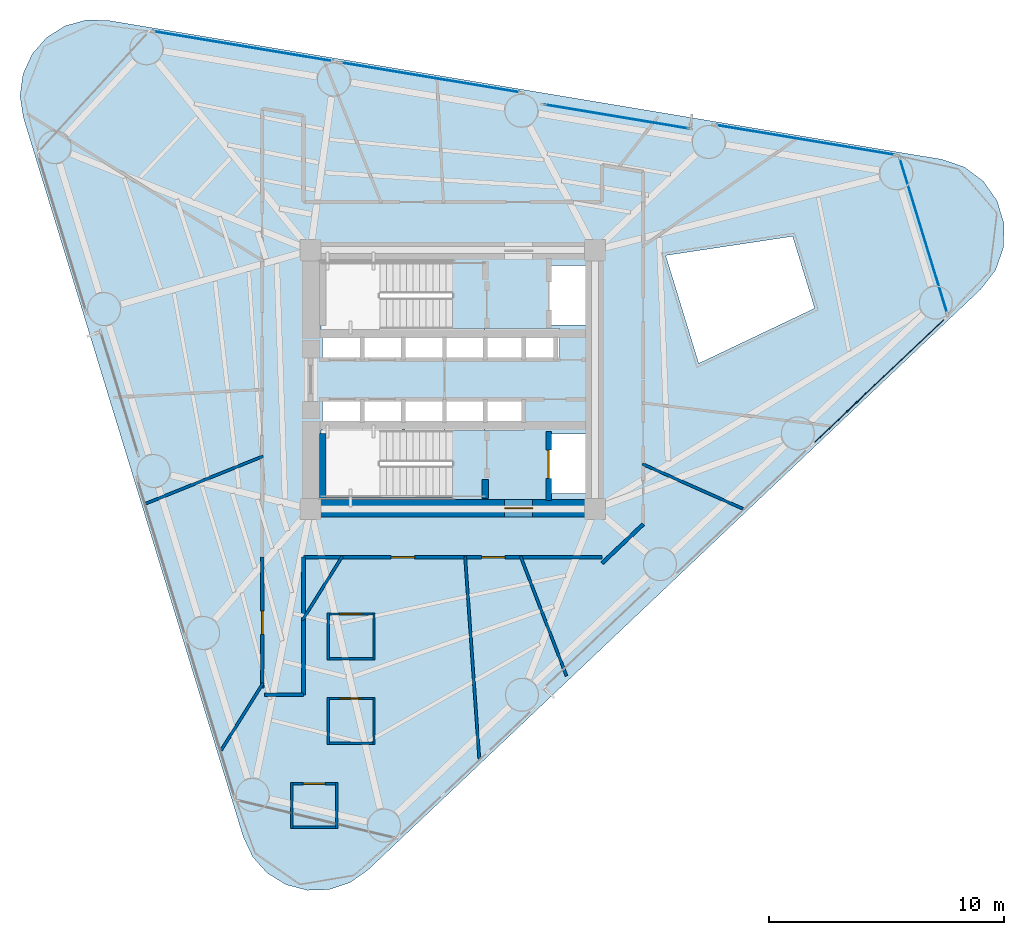
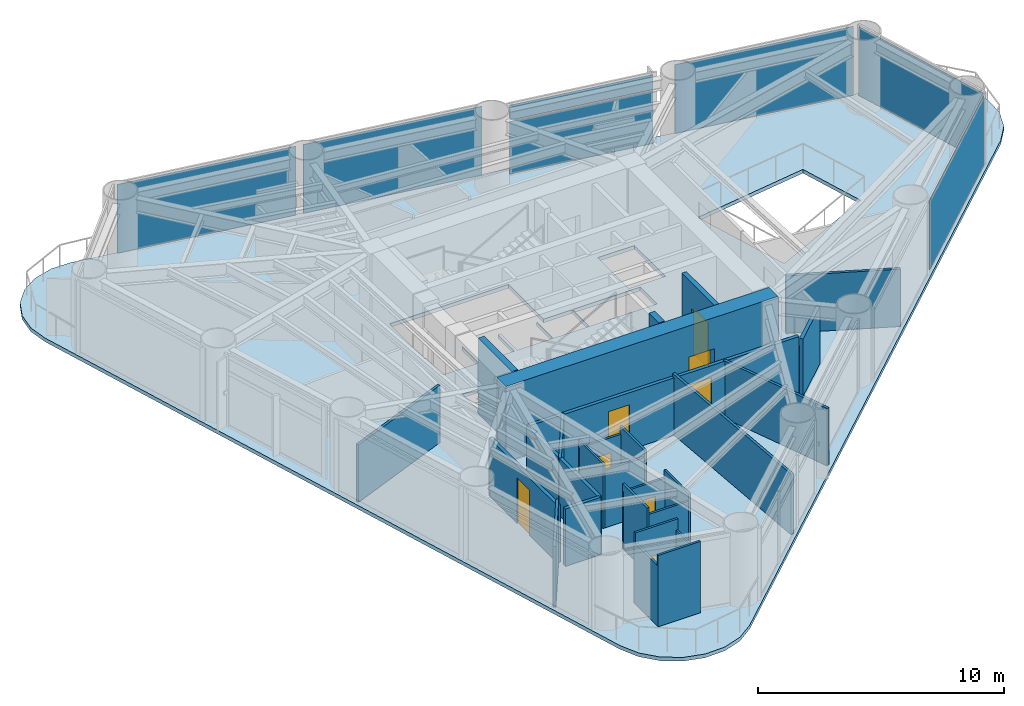
# One storey, part 5 of 10: 27 walls, 8 doors, 7 plates, 1 slab, 8 openings, 6 elements without a shape of their own.
"""IFC4 building model written with IfcOpenShell, lengths in metres."""

from ifc_helpers import new_model, si_unit, direction, frame, frame_2d, origin, origin_2d, place, context, subcontext, project, spatial, polyline, rectangle, outline, extrude, source, transform, mapped, material, layer, layer_set, type_object, element, fill, aggregate, save


model = new_model("IFC4")

# Units and contexts
model_context = context("Model", 3, precision=1e-05, world=origin(), true_north=direction((0.0, 1.0)))
body_context = subcontext(model_context, "Body", "Model", "MODEL_VIEW")
ifc_project = project(units=[si_unit("LENGTHUNIT", "METRE"), si_unit("AREAUNIT", "SQUARE_METRE"), si_unit("VOLUMEUNIT", "CUBIC_METRE"), si_unit("PLANEANGLEUNIT", "RADIAN"), si_unit("MASSUNIT", "GRAM", prefix="KILO")], contexts=[model_context])

# Site, building, storey
site_placement = place(None, origin())
site = spatial("IfcSite", under=ifc_project, at=site_placement, CompositionType="ELEMENT")
building_placement = place(site_placement, origin())
building = spatial("IfcBuilding", under=site, at=building_placement, Name="Yunling Apex Tower", CompositionType="ELEMENT")
storey_placement = place(building_placement, frame((0.0, 0.0, 104.89990234375)))
storey = spatial("IfcBuildingStorey", under=building, at=storey_placement, Name="L26", CompositionType="ELEMENT", Elevation=104.89990234375)

# Slab
ifc_material_1 = material(Name="Concrete C40", Category="concrete")
ifc_layer_1 = layer(ifc_material_1, 0.179931640625)
ifc_layer_set_1 = layer_set([ifc_layer_1], Name="Concrete C40")
slab_type = type_object("IfcSlabType", Name="SL-FLR-1", PredefinedType="FLOOR", material=ifc_layer_set_1)
slab_placement = place(storey_placement, frame((0.0, 0.0, -0.184814453125)))
element("IfcSlab", 1, at=slab_placement, inside=storey, type_object=slab_type, Name="L26 Composite Tower Floor Slab", PredefinedType="FLOOR", context=body_context, shape_type="SweptSolid", body=[
    extrude(outline(polyline([(-8.89990234375, -19.45263671875), (-8.50146484375, -20.294921875), (-7.87841796875, -20.98779296875), (-7.083251953125, -21.473388671875), (-6.182373046875, -21.710693359375), (-5.251220703125, -21.680419921875), (-4.367431640625, -21.384765625), (-3.605712890625, -20.848388671875), (22.4599609375, 3.852294921875), (23.077880859375, 4.65869140625), (23.413818359375, 5.61767578125), (23.434326171875, 6.63330078125), (23.13720703125, 7.60498046875), (22.55224609375, 8.435791015625), (21.737548828125, 9.042724609375), (20.774169921875, 9.36572265625), (-14.6474609375, 15.267822265625), (-15.5791015625, 15.28662109375), (-16.476806640625, 15.03759765625), (-17.265869140625, 14.5419921875), (-17.8798828125, 13.84130859375), (-18.267578125, 12.993896484375), (-18.396728515625, 12.0712890625), (-18.256103515625, 11.150390625), (-8.89990234375, -19.45263671875)]), holes=[polyline([(14.45068359375, 6.091064453125), (15.385986328125, 3.031005859375), (10.4560546875, 0.68701171875), (9.052490234375, 5.27734375), (14.45068359375, 6.091064453125)]), polyline([(5.81005859375, -2.320068359375), (5.81005859375, -4.840087890625), (4.090087890625, -4.840087890625), (4.090087890625, -2.320068359375), (5.81005859375, -2.320068359375)]), polyline([(5.81005859375, 4.840087890625), (5.81005859375, 2.320068359375), (4.090087890625, 2.320068359375), (4.090087890625, 4.840087890625), (5.81005859375, 4.840087890625)]), polyline([(4.534912109375, 0.794921875), (1.364990234375, 0.794921875), (1.364990234375, 2.1650390625), (4.534912109375, 2.1650390625), (4.534912109375, 0.794921875)]), polyline([(3.034912109375, -0.794921875), (3.034912109375, -2.1650390625), (1.364990234375, -2.1650390625), (1.364990234375, -0.794921875), (3.034912109375, -0.794921875)]), polyline([(-3.864990234375, -0.794921875), (-3.864990234375, -2.139892578125), (-3.8349609375, -2.139892578125), (-3.8349609375, -0.794921875), (-2.1650390625, -0.794921875), (-2.1650390625, -2.139892578125), (-2.034912109375, -2.139892578125), (-2.034912109375, -0.794921875), (-0.364990234375, -0.794921875), (-0.364990234375, -2.139892578125), (-0.3349609375, -2.139892578125), (-0.3349609375, -0.794921875), (1.3349609375, -0.794921875), (1.3349609375, -2.1650390625), (-0.010009765625, -2.1650390625), (-0.010009765625, -5.010009765625), (-5.60009765625, -5.010009765625), (-5.60009765625, -2.139892578125), (-5.534912109375, -2.139892578125), (-5.534912109375, -0.794921875), (-3.864990234375, -0.794921875)]), polyline([(-5.60009765625, 2.139892578125), (-5.60009765625, 5.010009765625), (-0.010009765625, 5.010009765625), (-0.010009765625, 2.1650390625), (1.3349609375, 2.1650390625), (1.3349609375, 0.794921875), (-0.3349609375, 0.794921875), (-0.3349609375, 2.139892578125), (-0.364990234375, 2.139892578125), (-0.364990234375, 0.794921875), (-2.034912109375, 0.794921875), (-2.034912109375, 2.139892578125), (-2.1650390625, 2.139892578125), (-2.1650390625, 0.794921875), (-3.8349609375, 0.794921875), (-3.8349609375, 2.139892578125), (-3.864990234375, 2.139892578125), (-3.864990234375, 0.794921875), (-5.534912109375, 0.794921875), (-5.534912109375, 2.139892578125), (-5.60009765625, 2.139892578125)])]), origin(), (0.0, 0.0, 1.0), 0.184814453125),
])

# Curtain wall, plates
ifc_material_2 = material(Name="Bronze anodised aluminium", Category="aluminium")
ifc_layer_2 = layer(ifc_material_2, 0.260009765625)
ifc_layer_set_2 = layer_set([ifc_layer_2], Name="Bronze anodised aluminium")
curtain_wall_type = type_object("IfcCurtainWallType", Name="CW-SYS-2", PredefinedType="NOTDEFINED", material=ifc_layer_set_2)
curtain_wall_1_placement = place(storey_placement, origin())
curtain_wall_1 = element("IfcCurtainWall", 2, at=curtain_wall_1_placement, inside=storey, type_object=curtain_wall_type, Name="CW-L26-F2-B2", PredefinedType="NOTDEFINED")
ifc_material_3 = material(Name="Bronze tinted low-E glass", Category="glass")
ifc_layer_3 = layer(ifc_material_3, 0.033935546875)
ifc_layer_set_3 = layer_set([ifc_layer_3], Name="Bronze tinted low-E glass")
plate_type = type_object("IfcPlateType", Name="CW-PNL-2", PredefinedType="CURTAIN_PANEL", material=ifc_layer_set_3)
shared_shape_1 = source(origin(), body_context, "Body", "SweptSolid", [
    extrude(rectangle(XDim=6.236328125, YDim=0.033935546875, at=origin_2d()), origin(), (0.0, 0.0, 1.0), 2.60400390625),
])
plate_1_placement = place(storey_placement, frame((6.96923828125, 11.17919921875, 0.076904296875), z_axis=(0.0, 0.0, 1.0), x_axis=(-0.986401113409, 0.164355844023, 0.0)))
plate_1 = element("IfcPlate", 3, at=plate_1_placement, type_object=plate_type, Name="CW-SYS-2 panel 1.1", PredefinedType="CURTAIN_PANEL", context=body_context, shape_type="MappedRepresentation", body=[
    mapped(shared_shape_1, transform((0.0, 0.0, 0.0), scale=1.0)),
])
shared_shape_2 = source(origin(), body_context, "Body", "SweptSolid", [
    extrude(rectangle(XDim=6.236328125, YDim=0.033935546875, at=origin_2d()), origin(), (0.0, 0.0, 1.0), 0.739013671875),
])
plate_2_placement = place(storey_placement, frame((6.96923828125, 11.17919921875, 2.74951171875), z_axis=(0.0, 0.0, 1.0), x_axis=(-0.986401113409, 0.164355844023, 0.0)))
plate_2 = element("IfcPlate", 4, at=plate_2_placement, type_object=plate_type, Name="CW-SYS-2 panel 1.2", PredefinedType="CURTAIN_PANEL", context=body_context, shape_type="MappedRepresentation", body=[
    mapped(shared_shape_2, transform((0.0, 0.0, 0.0), scale=1.0)),
])
aggregate(curtain_wall_1, [plate_1, plate_2])

# Curtain wall, plate
curtain_wall_2_placement = place(storey_placement, origin())
curtain_wall_2 = element("IfcCurtainWall", 5, at=curtain_wall_2_placement, inside=storey, type_object=curtain_wall_type, Name="CW-L26-F1-B4", PredefinedType="NOTDEFINED")
shared_shape_3 = source(origin(), body_context, "Body", "SweptSolid", [
    extrude(rectangle(XDim=7.766357421875, YDim=0.033935546875, at=origin_2d()), origin(), (0.0, 0.0, 1.0), 3.41162109375),
])
plate_3_placement = place(storey_placement, frame((18.1279296875, -0.06005859375, 0.076904296875), z_axis=(0.0, 0.0, 1.0), x_axis=(0.72584218686, 0.687861264918, 0.0)))
plate_3 = element("IfcPlate", 6, at=plate_3_placement, type_object=plate_type, Name="CW-SYS-2 panel 1.1", PredefinedType="CURTAIN_PANEL", context=body_context, shape_type="MappedRepresentation", body=[
    mapped(shared_shape_3, transform((0.0, 0.0, 0.0), scale=1.0)),
])
aggregate(curtain_wall_2, [plate_3])

curtain_wall_3_placement = place(storey_placement, origin())
curtain_wall_3 = element("IfcCurtainWall", 7, at=curtain_wall_3_placement, inside=storey, type_object=curtain_wall_type, Name="CW-L26-F2-B1", PredefinedType="NOTDEFINED")
plate_4_placement = place(storey_placement, frame((14.9951171875, 10.186767578125, 0.076904296875), z_axis=(0.0, 0.0, 1.0), x_axis=(-0.98640040698, 0.16436008369, 0.0)))
plate_4 = element("IfcPlate", 8, at=plate_4_placement, type_object=plate_type, Name="CW-SYS-2 panel 1.1", PredefinedType="CURTAIN_PANEL", context=body_context, shape_type="MappedRepresentation", body=[
    mapped(shared_shape_3, transform((0.0, 0.0, 0.0), scale=1.0)),
])
aggregate(curtain_wall_3, [plate_4])

curtain_wall_4_placement = place(storey_placement, origin())
curtain_wall_4 = element("IfcCurtainWall", 9, at=curtain_wall_4_placement, inside=storey, type_object=curtain_wall_type, Name="CW-L26-F2-B4", PredefinedType="NOTDEFINED")
plate_5_placement = place(storey_placement, frame((-8.91455078125, 14.170654296875, 0.076904296875), z_axis=(0.0, 0.0, 1.0), x_axis=(-0.98640040698, 0.16436008369, 0.0)))
plate_5 = element("IfcPlate", 10, at=plate_5_placement, type_object=plate_type, Name="CW-SYS-2 panel 1.1", PredefinedType="CURTAIN_PANEL", context=body_context, shape_type="MappedRepresentation", body=[
    mapped(shared_shape_3, transform((0.0, 0.0, 0.0), scale=1.0)),
])
aggregate(curtain_wall_4, [plate_5])

curtain_wall_5_placement = place(storey_placement, origin())
curtain_wall_5 = element("IfcCurtainWall", 11, at=curtain_wall_5_placement, inside=storey, type_object=curtain_wall_type, Name="CW-L26-CRN1", PredefinedType="NOTDEFINED")
shared_shape_4 = source(origin(), body_context, "Body", "SweptSolid", [
    extrude(rectangle(XDim=6.925537109375, YDim=0.033935546875, at=origin_2d()), origin(), (0.0, 0.0, 1.0), 3.41162109375),
])
plate_6_placement = place(storey_placement, frame((20.01171875, 6.1181640625, 0.076904296875), z_axis=(0.0, 0.0, 1.0), x_axis=(-0.292375009223, 0.95630374567, 0.0)))
plate_6 = element("IfcPlate", 12, at=plate_6_placement, type_object=plate_type, Name="CW-SYS-2 panel 1.1", PredefinedType="CURTAIN_PANEL", context=body_context, shape_type="MappedRepresentation", body=[
    mapped(shared_shape_4, transform((0.0, 0.0, 0.0), scale=1.0)),
])
aggregate(curtain_wall_5, [plate_6])

curtain_wall_6_placement = place(storey_placement, origin())
curtain_wall_6 = element("IfcCurtainWall", 13, at=curtain_wall_6_placement, inside=storey, type_object=curtain_wall_type, Name="CW-L26-F2-B3", PredefinedType="NOTDEFINED")
shared_shape_5 = source(origin(), body_context, "Body", "SweptSolid", [
    extrude(rectangle(XDim=7.76611328125, YDim=0.033935546875, at=origin_2d()), origin(), (0.0, 0.0, 1.0), 3.41162109375),
])
plate_7_placement = place(storey_placement, frame((-0.944580078125, 12.8427734375, 0.076904296875), z_axis=(0.0, 0.0, 1.0), x_axis=(-0.986400065878, 0.164362130784, 0.0)))
plate_7 = element("IfcPlate", 14, at=plate_7_placement, type_object=plate_type, Name="CW-SYS-2 panel 1.1", PredefinedType="CURTAIN_PANEL", context=body_context, shape_type="MappedRepresentation", body=[
    mapped(shared_shape_5, transform((0.0, 0.0, 0.0), scale=1.0)),
])
aggregate(curtain_wall_6, [plate_7])

# Wall, opening, door
ifc_material_4 = material(Name="Concrete C60", Category="concrete")
ifc_layer_4 = layer(ifc_material_4, 0.75)
ifc_layer_set_4 = layer_set([ifc_layer_4], Name="Concrete C60")
wall_type_1 = type_object("IfcWallType", Name="WL-COR-1", PredefinedType="SHEAR", material=ifc_layer_set_4)
wall_1_placement = place(storey_placement, frame((-6.39990234375, -5.47509765625, 0.0), z_axis=(0.0, 0.0, 1.0), x_axis=(1.0, 0.0, 0.0)))
wall_1 = element("IfcWall", 15, at=wall_1_placement, inside=storey, type_object=wall_type_1, Name="L26 South Core Shear Wall", PredefinedType="SHEAR", context=body_context, shape_type="SweptSolid", body=[
    extrude(rectangle(XDim=12.7998046875, YDim=0.75, at=frame_2d((6.39990234375, 0.0))), origin(), (0.0, 0.0, 1.0), 3.75),
])
opening_1_placement = place(wall_1_placement, frame((8.60009765625, 0.0, 0.0)))
opening_1 = element("IfcOpeningElement", 16, at=opening_1_placement, cuts=wall_1, Name="Opening DR-FFL-1", PredefinedType="OPENING", context=body_context, shape_type="SweptSolid", body=[
    extrude(rectangle(XDim=1.199951171875, YDim=2.199951171875, at=frame_2d((0.60009765625, 1.10009765625))), frame((0.0, 0.385009765625, 0.0), z_axis=(0.0, -1.0, 0.0), x_axis=(1.0, 0.0, 0.0)), (0.0, 0.0, 1.0), 0.77001953125),
])
ifc_material_5 = material(Name="Steel Q355B", Category="steel")
door_type_1 = type_object("IfcDoorType", Name="DR-FFL-1", OperationType="NOTDEFINED", PredefinedType="DOOR", material=ifc_material_5)
door_1_placement = place(opening_1_placement, origin())
door_1 = element("IfcDoor", 17, at=door_1_placement, inside=storey, type_object=door_type_1, Name="L26 South Firefighting Lobby Door", OperationType="SINGLE_SWING_RIGHT", OverallHeight=2.199951171875, OverallWidth=1.199951171875, PredefinedType="DOOR", context=body_context, shape_type="SweptSolid", body=[
    extrude(rectangle(XDim=1.199951171875, YDim=2.199951171875, at=frame_2d((0.60009765625, 1.10009765625))), frame((0.0, 0.02490234375, 0.0), z_axis=(0.0, -1.0, 0.0), x_axis=(1.0, 0.0, 0.0)), (0.0, 0.0, 1.0), 0.050048828125),
])
fill(opening_1, door_1)

# Walls
ifc_layer_5 = layer(ifc_material_1, 0.280029296875)
ifc_layer_set_5 = layer_set([ifc_layer_5], Name="Concrete C40")
wall_type_2 = type_object("IfcWallType", Name="WL-COR-8", PredefinedType="SHEAR", material=ifc_layer_set_5)
wall_2_placement = place(storey_placement, frame((-5.52001953125, -5.050048828125, 0.0), z_axis=(0.0, 0.0, 1.0), x_axis=(0.0, 1.0, 0.0)))
element("IfcWall", 18, at=wall_2_placement, inside=storey, type_object=wall_type_2, Name="L26 ST-2 West Landing Bearing Wall", PredefinedType="SHEAR", context=body_context, shape_type="SweptSolid", body=[
    extrude(rectangle(XDim=2.75, YDim=0.280029296875, at=frame_2d((1.375, 0.0))), origin(), (0.0, 0.0, 1.0), 3.75),
])
wall_3_placement = place(storey_placement, frame((1.3798828125, -5.050048828125, 0.0), z_axis=(0.0, 0.0, 1.0), x_axis=(0.0, 1.0, 0.0)))
element("IfcWall", 19, at=wall_3_placement, inside=storey, type_object=wall_type_2, Name="L26 ST-2 East Landing Bearing Pier", PredefinedType="SHEAR", context=body_context, shape_type="SweptSolid", body=[
    extrude(rectangle(XDim=0.800048828125, YDim=0.280029296875, at=frame_2d((0.39990234375, 0.0))), origin(), (0.0, 0.0, 1.0), 3.75),
])

# Wall, opening, door
ifc_material_6 = material(Name="Gypsum board acoustic partition")
ifc_layer_6 = layer(ifc_material_6, 0.159912109375)
ifc_layer_set_6 = layer_set([ifc_layer_6], Name="Gypsum board acoustic partition")
wall_type_3 = type_object("IfcWallType", Name="WL-PRT-1", PredefinedType="PARTITIONING", material=ifc_layer_set_6)
wall_4_placement = place(storey_placement, frame((-8.10009765625, -13.107421875, 0.0), z_axis=(0.0, 0.0, 1.0), x_axis=(0.0, 1.0, 0.0)))
wall_4 = element("IfcWall", 20, at=wall_4_placement, inside=storey, type_object=wall_type_3, Name="WL-CORR-L26-02", PredefinedType="PARTITIONING", context=body_context, shape_type="SweptSolid", body=[
    extrude(rectangle(XDim=5.557373046875, YDim=0.159912109375, at=frame_2d((2.77880859375, 0.0))), origin(), (0.0, 0.0, 1.0), 2.85009765625),
])
opening_2_placement = place(wall_4_placement, frame((2.27880859375, 0.0, 0.0)))
opening_2 = element("IfcOpeningElement", 21, at=opening_2_placement, cuts=wall_4, Name="Opening DR-OFF-1", PredefinedType="OPENING", context=body_context, shape_type="SweptSolid", body=[
    extrude(rectangle(XDim=1.0, YDim=2.25, at=frame_2d((0.5, 1.125))), frame((0.0, 0.08984375, 0.0), z_axis=(0.0, -1.0, 0.0), x_axis=(1.0, 0.0, 0.0)), (0.0, 0.0, 1.0), 0.179931640625),
])
door_type_2 = type_object("IfcDoorType", Name="DR-OFF-1", OperationType="NOTDEFINED", PredefinedType="DOOR", material=ifc_material_2)
door_2_placement = place(opening_2_placement, origin())
door_2 = element("IfcDoor", 22, at=door_2_placement, inside=storey, type_object=door_type_2, Name="L26 Business Reading Lounge Door", OperationType="SINGLE_SWING_RIGHT", OverallHeight=2.25, OverallWidth=1.0, PredefinedType="DOOR", context=body_context, shape_type="SweptSolid", body=[
    extrude(rectangle(XDim=1.0, YDim=2.25, at=frame_2d((0.5, 1.125))), frame((0.0, 0.02490234375, 0.0), z_axis=(0.0, -1.0, 0.0), x_axis=(1.0, 0.0, 0.0)), (0.0, 0.0, 1.0), 0.050048828125),
])
fill(opening_2, door_2)

# Wall
wall_5_placement = place(storey_placement, frame((8.10009765625, -6.146240234375, 0.0), z_axis=(0.0, 0.0, 1.0), x_axis=(-0.725888815428, -0.687812058368, 0.0)))
element("IfcWall", 23, at=wall_5_placement, inside=storey, type_object=wall_type_3, Name="WL-CORR-L26-13", PredefinedType="PARTITIONING", context=body_context, shape_type="SweptSolid", body=[
    extrude(rectangle(XDim=2.410888671875, YDim=0.159912109375, at=frame_2d((1.20556640625, 0.0))), origin(), (0.0, 0.0, 1.0), 2.85009765625),
])

# Wall, openings, doors
wall_6_placement = place(storey_placement, frame((6.35009765625, -7.550048828125, 0.0), z_axis=(0.0, 0.0, 1.0), x_axis=(-1.0, 0.0, 0.0)))
wall_6 = element("IfcWall", 24, at=wall_6_placement, inside=storey, type_object=wall_type_3, Name="WL-CORR-L26-15", PredefinedType="PARTITIONING", context=body_context, shape_type="SweptSolid", body=[
    extrude(rectangle(XDim=12.7001953125, YDim=0.159912109375, at=frame_2d((6.35009765625, 0.0))), origin(), (0.0, 0.0, 1.0), 2.85009765625),
])
opening_3_placement = place(wall_6_placement, frame((4.12109375, 0.0, 0.0)))
opening_3 = element("IfcOpeningElement", 25, at=opening_3_placement, cuts=wall_6, Name="Opening DR-OFF-1", PredefinedType="OPENING", context=body_context, shape_type="SweptSolid", body=[
    extrude(rectangle(XDim=1.0, YDim=2.25, at=frame_2d((0.5, 1.125))), frame((0.0, 0.08984375, 0.0), z_axis=(0.0, -1.0, 0.0), x_axis=(1.0, 0.0, 0.0)), (0.0, 0.0, 1.0), 0.179931640625),
])
opening_4_placement = place(wall_6_placement, frame((7.966064453125, 0.0, 0.0)))
opening_4 = element("IfcOpeningElement", 26, at=opening_4_placement, cuts=wall_6, Name="Opening DR-OFF-1", PredefinedType="OPENING", context=body_context, shape_type="SweptSolid", body=[
    extrude(rectangle(XDim=1.0, YDim=2.25, at=frame_2d((0.5, 1.125))), frame((0.0, 0.08984375, 0.0), z_axis=(0.0, -1.0, 0.0), x_axis=(1.0, 0.0, 0.0)), (0.0, 0.0, 1.0), 0.179931640625),
])
door_3_placement = place(opening_3_placement, origin())
door_3 = element("IfcDoor", 27, at=door_3_placement, inside=storey, type_object=door_type_2, Name="L26 Business Reading Lounge Door", OperationType="SINGLE_SWING_LEFT", OverallHeight=2.25, OverallWidth=1.0, PredefinedType="DOOR", context=body_context, shape_type="SweptSolid", body=[
    extrude(rectangle(XDim=1.0, YDim=2.25, at=frame_2d((0.5, 1.125))), frame((0.0, 0.02490234375, 0.0), z_axis=(0.0, -1.0, 0.0), x_axis=(1.0, 0.0, 0.0)), (0.0, 0.0, 1.0), 0.050048828125),
])
fill(opening_3, door_3)
door_4_placement = place(opening_4_placement, origin())
door_4 = element("IfcDoor", 28, at=door_4_placement, inside=storey, type_object=door_type_2, Name="L26 Service Foyer Lounge Door", OperationType="SINGLE_SWING_RIGHT", OverallHeight=2.25, OverallWidth=1.0, PredefinedType="DOOR", context=body_context, shape_type="SweptSolid", body=[
    extrude(rectangle(XDim=1.0, YDim=2.25, at=frame_2d((0.5, 1.125))), frame((0.0, 0.02490234375, 0.0), z_axis=(0.0, -1.0, 0.0), x_axis=(1.0, 0.0, 0.0)), (0.0, 0.0, 1.0), 0.050048828125),
])
fill(opening_4, door_4)

# Walls
wall_7_placement = place(storey_placement, frame((-6.35009765625, -7.550048828125, 0.0), z_axis=(0.0, 0.0, 1.0), x_axis=(0.0, -1.0, 0.0)))
element("IfcWall", 29, at=wall_7_placement, inside=storey, type_object=wall_type_3, Name="WL-CORR-L26-16", PredefinedType="PARTITIONING", context=body_context, shape_type="SweptSolid", body=[
    extrude(rectangle(XDim=5.849853515625, YDim=0.159912109375, at=frame_2d((2.9248046875, 0.0))), origin(), (0.0, 0.0, 1.0), 2.85009765625),
])
wall_8_placement = place(storey_placement, frame((-6.35009765625, -13.39990234375, 0.0), z_axis=(0.0, 0.0, 1.0), x_axis=(-1.0, 0.0, 0.0)))
element("IfcWall", 30, at=wall_8_placement, inside=storey, type_object=wall_type_3, Name="WL-CORR-L26-17", PredefinedType="PARTITIONING", context=body_context, shape_type="SweptSolid", body=[
    extrude(rectangle(XDim=1.660400390625, YDim=0.159912109375, at=frame_2d((0.830078125, 0.0))), origin(), (0.0, 0.0, 1.0), 2.85009765625),
])
ifc_layer_7 = layer(ifc_material_6, 0.1201171875)
ifc_layer_set_7 = layer_set([ifc_layer_7], Name="Gypsum board acoustic partition")
wall_type_4 = type_object("IfcWallType", Name="WL-PRT-3", PredefinedType="PARTITIONING", material=ifc_layer_set_7)
wall_9_placement = place(storey_placement, frame((-8.06005859375, -3.256591796875, 0.0), z_axis=(0.0, 0.0, 1.0), x_axis=(-0.927184543748, -0.374604887627, 0.0)))
element("IfcWall", 31, at=wall_9_placement, inside=storey, type_object=wall_type_4, Name="WL-RAD-L26-02", PredefinedType="PARTITIONING", context=body_context, shape_type="SweptSolid", body=[
    extrude(rectangle(XDim=5.378662109375, YDim=0.1201171875, at=frame_2d((2.689453125, 0.0))), origin(), (0.0, 0.0, 1.0), 2.85009765625),
])
wall_10_placement = place(storey_placement, frame((-4.69287109375, -7.510009765625, 0.0), z_axis=(0.0, 0.0, 1.0), x_axis=(-0.529882447014, -0.848071100997, 0.0)))
element("IfcWall", 32, at=wall_10_placement, inside=storey, type_object=wall_type_4, Name="WL-RAD-L26-03", PredefinedType="PARTITIONING", context=body_context, shape_type="SweptSolid", body=[
    extrude(rectangle(XDim=3.20263671875, YDim=0.1201171875, at=frame_2d((1.601318359375, 0.0))), origin(), (0.0, 0.0, 1.0), 2.85009765625),
])
wall_11_placement = place(storey_placement, frame((-8.06005859375, -12.898681640625, 0.0), z_axis=(0.0, 0.0, 1.0), x_axis=(-0.529927190475, -0.84804314324, 0.0)))
element("IfcWall", 33, at=wall_11_placement, inside=storey, type_object=wall_type_4, Name="WL-RAD-L26-04", PredefinedType="PARTITIONING", context=body_context, shape_type="SweptSolid", body=[
    extrude(rectangle(XDim=3.364501953125, YDim=0.1201171875, at=frame_2d((1.68212890625, 0.0))), origin(), (0.0, 0.0, 1.0), 3.010009765625),
])
wall_12_placement = place(storey_placement, frame((0.525146484375, -7.510009765625, 0.0), z_axis=(0.0, 0.0, 1.0), x_axis=(0.069760692691, -0.997563755233, 0.0)))
element("IfcWall", 34, at=wall_12_placement, inside=storey, type_object=wall_type_4, Name="WL-RAD-L26-05", PredefinedType="PARTITIONING", context=body_context, shape_type="SweptSolid", body=[
    extrude(rectangle(XDim=8.626708984375, YDim=0.1201171875, at=frame_2d((4.3134765625, 0.0))), origin(), (0.0, 0.0, 1.0), 3.010009765625),
])
wall_13_placement = place(storey_placement, frame((2.8828125, -7.510009765625, 0.0), z_axis=(0.0, 0.0, 1.0), x_axis=(0.35836087515, -0.933583142072, 0.0)))
element("IfcWall", 35, at=wall_13_placement, inside=storey, type_object=wall_type_4, Name="WL-RAD-L26-06", PredefinedType="PARTITIONING", context=body_context, shape_type="SweptSolid", body=[
    extrude(rectangle(XDim=5.4521484375, YDim=0.1201171875, at=frame_2d((2.72607421875, 0.0))), origin(), (0.0, 0.0, 1.0), 2.85009765625),
])
wall_14_placement = place(storey_placement, frame((8.06005859375, -3.58837890625, 0.0), z_axis=(0.0, 0.0, 1.0), x_axis=(0.913536081089, -0.406757702506, 0.0)))
element("IfcWall", 36, at=wall_14_placement, inside=storey, type_object=wall_type_4, Name="WL-RAD-L26-07", PredefinedType="PARTITIONING", context=body_context, shape_type="SweptSolid", body=[
    extrude(rectangle(XDim=4.681640625, YDim=0.1201171875, at=frame_2d((2.3408203125, 0.0))), origin(), (0.0, 0.0, 1.0), 2.85009765625),
])

# Wall, opening, door
ifc_layer_8 = layer(ifc_material_6, 0.10009765625)
ifc_layer_set_8 = layer_set([ifc_layer_8], Name="Gypsum board acoustic partition")
wall_type_5 = type_object("IfcWallType", Name="WL-PRT-4", PredefinedType="PARTITIONING", material=ifc_layer_set_8)
wall_15_placement = place(storey_placement, frame((-5.34912109375, -13.55908203125, 0.0), z_axis=(0.0, 0.0, 1.0), x_axis=(1.0, 0.0, 0.0)))
wall_15 = element("IfcWall", 37, at=wall_15_placement, inside=storey, type_object=wall_type_5, Name="WL-L26-WCMN", PredefinedType="PARTITIONING", context=body_context, shape_type="SweptSolid", body=[
    extrude(rectangle(XDim=2.050048828125, YDim=0.10009765625, at=frame_2d((1.02490234375, 0.0))), origin(), (0.0, 0.0, 1.0), 2.85009765625),
])
opening_5_placement = place(wall_15_placement, frame((0.56494140625, 0.0, 0.0)))
opening_5 = element("IfcOpeningElement", 38, at=opening_5_placement, cuts=wall_15, Name="Opening DR-WC-1", PredefinedType="OPENING", context=body_context, shape_type="SweptSolid", body=[
    extrude(rectangle(XDim=0.919921875, YDim=2.10009765625, at=frame_2d((0.4599609375, 1.050048828125))), frame((0.0, 0.06005859375, 0.0), z_axis=(0.0, -1.0, 0.0), x_axis=(1.0, 0.0, 0.0)), (0.0, 0.0, 1.0), 0.1201171875),
])
ifc_material_7 = material(Name="Timber moisture-resistant leaf", Category="wood")
door_type_3 = type_object("IfcDoorType", Name="DR-WC-1", OperationType="NOTDEFINED", PredefinedType="DOOR", material=ifc_material_7)
door_5_placement = place(opening_5_placement, origin())
door_5 = element("IfcDoor", 39, at=door_5_placement, inside=storey, type_object=door_type_3, Name="L26 Male Toilet Door", OperationType="SINGLE_SWING_LEFT", OverallHeight=2.10009765625, OverallWidth=0.919921875, PredefinedType="DOOR", context=body_context, shape_type="SweptSolid", body=[
    extrude(rectangle(XDim=0.919921875, YDim=2.10009765625, at=frame_2d((0.4599609375, 1.050048828125))), frame((0.0, 0.02490234375, 0.0), z_axis=(0.0, -1.0, 0.0), x_axis=(1.0, 0.0, 0.0)), (0.0, 0.0, 1.0), 0.050048828125),
])
fill(opening_5, door_5)

# Walls
wall_16_placement = place(storey_placement, frame((-3.299072265625, -15.458984375, 0.0), z_axis=(0.0, 0.0, 1.0), x_axis=(-1.0, 0.0, 0.0)))
element("IfcWall", 40, at=wall_16_placement, inside=storey, type_object=wall_type_5, Name="WL-L26-WCMS", PredefinedType="PARTITIONING", context=body_context, shape_type="SweptSolid", body=[
    extrude(rectangle(XDim=2.050048828125, YDim=0.10009765625, at=frame_2d((1.02490234375, 0.0))), origin(), (0.0, 0.0, 1.0), 2.85009765625),
])
for number, where, z_axis, x_axis, name in (
    (41, (-3.34912109375, -13.509033203125, 0.0), (0.0, 0.0, 1.0), (0.0, -1.0, 0.0), "WL-L26-WCME"),
    (42, (-5.299072265625, -15.509033203125, 0.0), (0.0, 0.0, 1.0), (0.0, 1.0, 0.0), "WL-L26-WCMW"),
):
    element("IfcWall", number, at=place(storey_placement, frame(where, z_axis=z_axis, x_axis=x_axis)), inside=storey, type_object=wall_type_5, Name=name, PredefinedType="PARTITIONING", context=body_context, shape_type="SweptSolid", body=[
        extrude(rectangle(XDim=2.0, YDim=0.10009765625, at=frame_2d((1.0, 0.0))), origin(), (0.0, 0.0, 1.0), 3.2001953125),
    ])

# Wall, opening, door
wall_17_placement = place(storey_placement, frame((-5.34912109375, -9.964111328125, 0.0), z_axis=(0.0, 0.0, 1.0), x_axis=(1.0, 0.0, 0.0)))
wall_17 = element("IfcWall", 43, at=wall_17_placement, inside=storey, type_object=wall_type_5, Name="WL-L26-WCFN", PredefinedType="PARTITIONING", context=body_context, shape_type="SweptSolid", body=[
    extrude(rectangle(XDim=2.050048828125, YDim=0.10009765625, at=frame_2d((1.02490234375, 0.0))), origin(), (0.0, 0.0, 1.0), 2.85009765625),
])
opening_6_placement = place(wall_17_placement, frame((0.56494140625, 0.0, 0.0)))
opening_6 = element("IfcOpeningElement", 44, at=opening_6_placement, cuts=wall_17, Name="Opening DR-WC-1", PredefinedType="OPENING", context=body_context, shape_type="SweptSolid", body=[
    extrude(rectangle(XDim=0.919921875, YDim=2.10009765625, at=frame_2d((0.4599609375, 1.050048828125))), frame((0.0, 0.06005859375, 0.0), z_axis=(0.0, -1.0, 0.0), x_axis=(1.0, 0.0, 0.0)), (0.0, 0.0, 1.0), 0.1201171875),
])
door_6_placement = place(opening_6_placement, origin())
door_6 = element("IfcDoor", 45, at=door_6_placement, inside=storey, type_object=door_type_3, Name="L26 Female Toilet Door", OperationType="SINGLE_SWING_RIGHT", OverallHeight=2.10009765625, OverallWidth=0.919921875, PredefinedType="DOOR", context=body_context, shape_type="SweptSolid", body=[
    extrude(rectangle(XDim=0.919921875, YDim=2.10009765625, at=frame_2d((0.4599609375, 1.050048828125))), frame((0.0, 0.02490234375, 0.0), z_axis=(0.0, -1.0, 0.0), x_axis=(1.0, 0.0, 0.0)), (0.0, 0.0, 1.0), 0.050048828125),
])
fill(opening_6, door_6)

# Walls
wall_18_placement = place(storey_placement, frame((-3.299072265625, -11.864013671875, 0.0), z_axis=(0.0, 0.0, 1.0), x_axis=(-1.0, 0.0, 0.0)))
element("IfcWall", 46, at=wall_18_placement, inside=storey, type_object=wall_type_5, Name="WL-L26-WCFS", PredefinedType="PARTITIONING", context=body_context, shape_type="SweptSolid", body=[
    extrude(rectangle(XDim=2.050048828125, YDim=0.10009765625, at=frame_2d((1.02490234375, 0.0))), origin(), (0.0, 0.0, 1.0), 2.85009765625),
])
for number, where, z_axis, x_axis, name in (
    (47, (-3.34912109375, -9.9140625, 0.0), (0.0, 0.0, 1.0), (0.0, -1.0, 0.0), "WL-L26-WCFE"),
    (48, (-5.299072265625, -11.9140625, 0.0), (0.0, 0.0, 1.0), (0.0, 1.0, 0.0), "WL-L26-WCFW"),
):
    element("IfcWall", number, at=place(storey_placement, frame(where, z_axis=z_axis, x_axis=x_axis)), inside=storey, type_object=wall_type_5, Name=name, PredefinedType="PARTITIONING", context=body_context, shape_type="SweptSolid", body=[
        extrude(rectangle(XDim=2.0, YDim=0.10009765625, at=frame_2d((1.0, 0.0))), origin(), (0.0, 0.0, 1.0), 3.2001953125),
    ])

# Wall, opening, door
wall_19_placement = place(storey_placement, frame((-6.887939453125, -17.177978515625, 0.0), z_axis=(0.0, 0.0, 1.0), x_axis=(1.0, 0.0, 0.0)))
wall_19 = element("IfcWall", 49, at=wall_19_placement, inside=storey, type_object=wall_type_5, Name="WL-L26-WCAN", PredefinedType="PARTITIONING", context=body_context, shape_type="SweptSolid", body=[
    extrude(rectangle(XDim=2.0, YDim=0.10009765625, at=frame_2d((1.0, 0.0))), origin(), (0.0, 0.0, 1.0), 3.545166015625),
])
opening_7_placement = place(wall_19_placement, frame((0.5400390625, 0.0, 0.0)))
opening_7 = element("IfcOpeningElement", 50, at=opening_7_placement, cuts=wall_19, Name="Opening DR-WC-1", PredefinedType="OPENING", context=body_context, shape_type="SweptSolid", body=[
    extrude(rectangle(XDim=0.919921875, YDim=2.10009765625, at=frame_2d((0.4599609375, 1.050048828125))), frame((0.0, 0.06005859375, 0.0), z_axis=(0.0, -1.0, 0.0), x_axis=(1.0, 0.0, 0.0)), (0.0, 0.0, 1.0), 0.1201171875),
])
door_7_placement = place(opening_7_placement, origin())
door_7 = element("IfcDoor", 51, at=door_7_placement, inside=storey, type_object=door_type_3, Name="L26 Accessible WC Door", OperationType="SINGLE_SWING_LEFT", OverallHeight=2.10009765625, OverallWidth=0.919921875, PredefinedType="DOOR", context=body_context, shape_type="SweptSolid", body=[
    extrude(rectangle(XDim=0.919921875, YDim=2.10009765625, at=frame_2d((0.4599609375, 1.050048828125))), frame((0.0, 0.02490234375, 0.0), z_axis=(0.0, -1.0, 0.0), x_axis=(1.0, 0.0, 0.0)), (0.0, 0.0, 1.0), 0.050048828125),
])
fill(opening_7, door_7)

# Walls
wall_20_placement = place(storey_placement, frame((-4.887939453125, -19.028076171875, 0.0), z_axis=(0.0, 0.0, 1.0), x_axis=(-1.0, 0.0, 0.0)))
element("IfcWall", 52, at=wall_20_placement, inside=storey, type_object=wall_type_5, Name="WL-L26-WCAS", PredefinedType="PARTITIONING", context=body_context, shape_type="SweptSolid", body=[
    extrude(rectangle(XDim=2.0, YDim=0.10009765625, at=frame_2d((1.0, 0.0))), origin(), (0.0, 0.0, 1.0), 3.545166015625),
])
for number, where, z_axis, x_axis, name in (
    (53, (-4.93798828125, -17.1279296875, 0.0), (0.0, 0.0, 1.0), (0.0, -1.0, 0.0), "WL-L26-WCAE"),
    (54, (-6.837890625, -19.077880859375, 0.0), (0.0, 0.0, 1.0), (0.0, 1.0, 0.0), "WL-L26-WCAW"),
):
    element("IfcWall", number, at=place(storey_placement, frame(where, z_axis=z_axis, x_axis=x_axis)), inside=storey, type_object=wall_type_5, Name=name, PredefinedType="PARTITIONING", context=body_context, shape_type="SweptSolid", body=[
        extrude(rectangle(XDim=1.949951171875, YDim=0.10009765625, at=frame_2d((0.97509765625, 0.0))), origin(), (0.0, 0.0, 1.0), 3.010009765625),
    ])

# Wall, opening, door
ifc_material_8 = material(Name="Autoclaved aerated concrete masonry", Category="masonry")
ifc_layer_9 = layer(ifc_material_8, 0.219970703125)
ifc_layer_set_9 = layer_set([ifc_layer_9], Name="Autoclaved aerated concrete masonry")
wall_type_6 = type_object("IfcWallType", Name="WL-SHF-1", PredefinedType="PLUMBINGWALL", material=ifc_layer_set_9)
wall_21_placement = place(storey_placement, frame((4.080078125, -5.14990234375, 0.0), z_axis=(0.0, 0.0, 1.0), x_axis=(0.0, 1.0, 0.0)))
wall_21 = element("IfcWall", 55, at=wall_21_placement, inside=storey, type_object=wall_type_6, Name="WL-FFL2-W-L26", PredefinedType="PLUMBINGWALL", context=body_context, shape_type="SweptSolid", body=[
    extrude(rectangle(XDim=2.949951171875, YDim=0.219970703125, at=frame_2d((1.47509765625, 0.0))), origin(), (0.0, 0.0, 1.0), 3.545166015625),
])
opening_8_placement = place(wall_21_placement, frame((0.949951171875, 0.0, 0.0)))
opening_8 = element("IfcOpeningElement", 56, at=opening_8_placement, cuts=wall_21, Name="Opening LD-FFL-1", PredefinedType="OPENING", context=body_context, shape_type="SweptSolid", body=[
    extrude(rectangle(XDim=1.199951171875, YDim=2.25, at=frame_2d((0.60009765625, 1.125))), frame((0.0, 0.1201171875, 0.0), z_axis=(0.0, -1.0, 0.0), x_axis=(1.0, 0.0, 0.0)), (0.0, 0.0, 1.0), 0.239990234375),
])
door_type_4 = type_object("IfcDoorType", Name="LD-FFL-1", OperationType="DOUBLE_DOOR_SLIDING", PredefinedType="DOOR", material=ifc_material_5)
door_8_placement = place(opening_8_placement, origin())
door_8 = element("IfcDoor", 57, at=door_8_placement, inside=storey, type_object=door_type_4, Name="L26 Lift FFL-2 Landing Door", OperationType="DOUBLE_DOOR_SLIDING", OverallHeight=2.25, OverallWidth=1.199951171875, PredefinedType="DOOR", context=body_context, shape_type="SweptSolid", body=[
    extrude(rectangle(XDim=1.199951171875, YDim=2.25, at=frame_2d((0.60009765625, 1.125))), frame((0.0, 0.02490234375, 0.0), z_axis=(0.0, -1.0, 0.0), x_axis=(1.0, 0.0, 0.0)), (0.0, 0.0, 1.0), 0.050048828125),
])
fill(opening_8, door_8)

save(model, "model.ifc")
